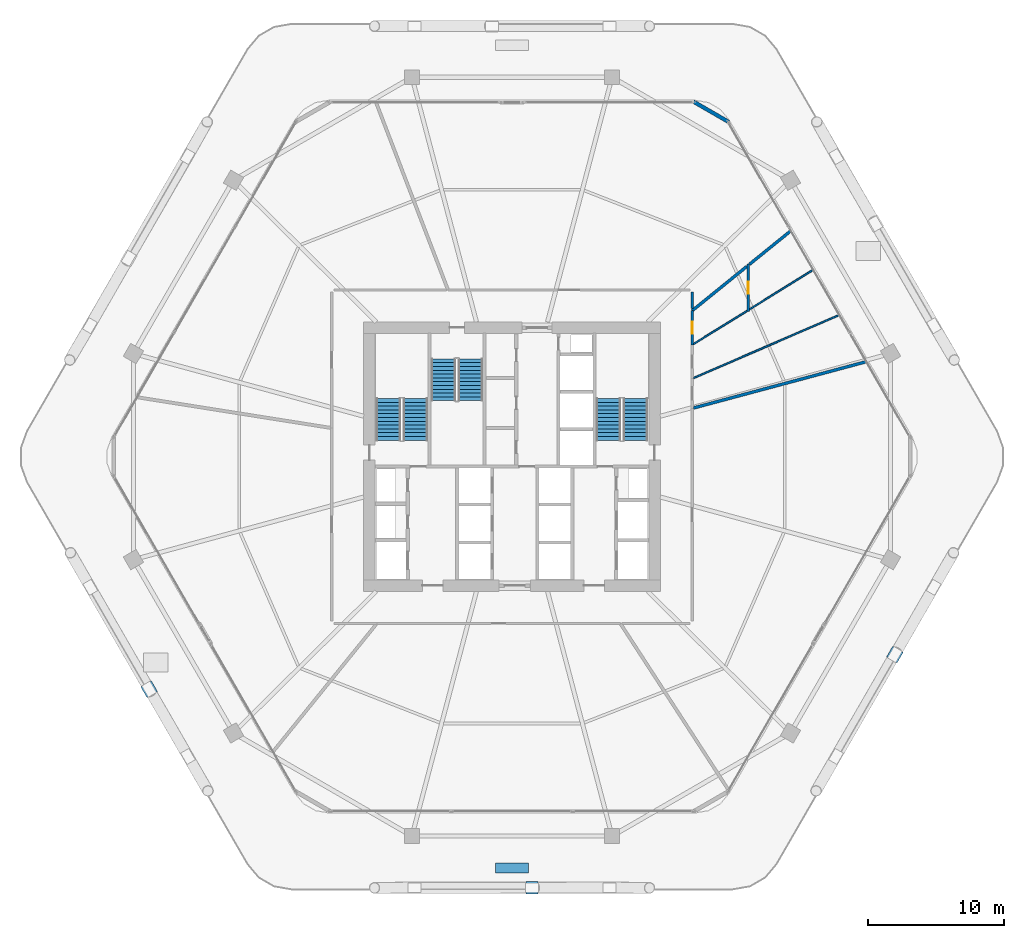
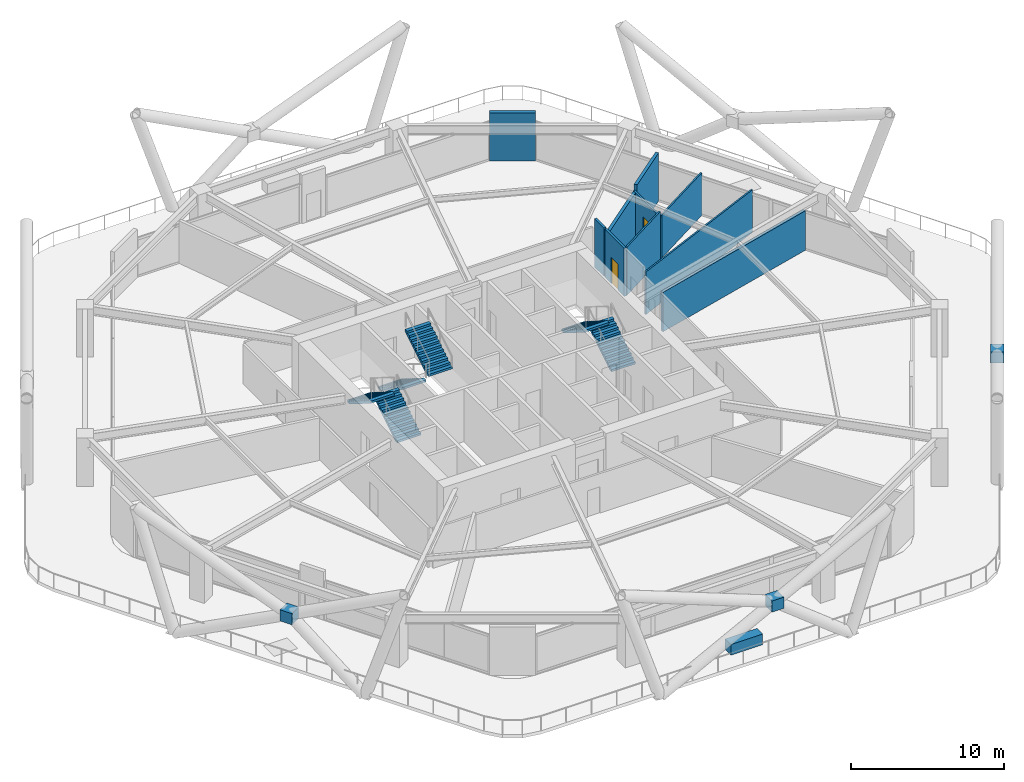
# One storey, part 25 of 28: 10 walls, 6 stair flights, 4 discrete accessories, 2 doors, 2 openings, 3 elements without a shape of their own.
"""IFC4 building model written with IfcOpenShell, lengths in metres."""

from ifc_helpers import new_model, si_unit, direction, frame, frame_2d, origin, origin_2d, place, context, subcontext, project, spatial, polyline, rectangle, outline, extrude, material, layer, layer_set, type_object, element, fill, aggregate, save


model = new_model("IFC4")

# Units and contexts
model_context = context("Model", 3, precision=1e-05, world=origin(), true_north=direction((0.0, 1.0)))
body_context = subcontext(model_context, "Body", "Model", "MODEL_VIEW")
ifc_project = project(units=[si_unit("LENGTHUNIT", "METRE"), si_unit("AREAUNIT", "SQUARE_METRE"), si_unit("VOLUMEUNIT", "CUBIC_METRE"), si_unit("PLANEANGLEUNIT", "RADIAN"), si_unit("MASSUNIT", "GRAM", prefix="KILO")], contexts=[model_context])

# Site, building, storey
site_placement = place(None, origin())
site = spatial("IfcSite", under=ifc_project, at=site_placement, CompositionType="ELEMENT")
building_placement = place(site_placement, origin())
building = spatial("IfcBuilding", under=site, at=building_placement, Name="Zuhravey Tower", CompositionType="ELEMENT")
storey_placement = place(building_placement, frame((0.0, 0.0, 83.39990234375)))
storey = spatial("IfcBuildingStorey", under=building, at=storey_placement, Name="L20", CompositionType="ELEMENT", Elevation=83.39990234375)

# Wall, opening, door
ifc_material_1 = material(Name="Gypsum fire-rated stud partition")
ifc_layer_1 = layer(ifc_material_1, 0.159912109375)
ifc_layer_set_1 = layer_set([ifc_layer_1], Name="Gypsum fire-rated stud partition")
wall_type_1 = type_object("IfcWallType", Name="Corridor Fire Partition 160", PredefinedType="PARTITIONING", material=ifc_layer_set_1)
wall_1_placement = place(storey_placement, frame((53.405029296875, 46.197265625, 0.0), z_axis=(0.0, 0.0, 1.0), x_axis=(0.0, -1.0, 0.0)))
wall_1 = element("IfcWall", 1, at=wall_1_placement, inside=storey, type_object=wall_type_1, Name="L20 IW16 Partition 021", PredefinedType="PARTITIONING", context=body_context, shape_type="SweptSolid", body=[
    extrude(rectangle(XDim=3.499755859375, YDim=0.159912109375, at=frame_2d((1.75, 0.0))), origin(), (0.0, 0.0, 1.0), 3.400146484375),
])
opening_1_placement = place(wall_1_placement, frame((1.2998046875, 0.0, 0.0)))
opening_1 = element("IfcOpeningElement", 2, at=opening_1_placement, cuts=wall_1, Name="Opening RSD1", PredefinedType="OPENING", context=body_context, shape_type="SweptSolid", body=[
    extrude(rectangle(XDim=0.89990234375, YDim=2.10009765625, at=frame_2d((0.449951171875, 1.050048828125))), frame((0.0, 0.092041015625, 0.0), z_axis=(0.0, -1.0, 0.0), x_axis=(1.0, 0.0, 0.0)), (0.0, 0.0, 1.0), 0.183837890625),
])
ifc_material_2 = material(Name="Galvanised fire-rated steel access leaf", Category="steel")
door_type = type_object("IfcDoorType", Name="Riser & Shaft Access Fire Door 900x2100", OperationType="NOTDEFINED", PredefinedType="DOOR", material=ifc_material_2)
door_1_placement = place(opening_1_placement, origin())
door_1 = element("IfcDoor", 3, at=door_1_placement, inside=storey, type_object=door_type, Name="L20 Door 021.1", OperationType="SINGLE_SWING_LEFT", OverallHeight=2.10009765625, OverallWidth=0.89990234375, PredefinedType="DOOR", context=body_context, shape_type="SweptSolid", body=[
    extrude(rectangle(XDim=0.89990234375, YDim=2.10009765625, at=frame_2d((0.449951171875, 1.050048828125))), frame((0.0, 0.02490234375, 0.0), z_axis=(0.0, -1.0, 0.0), x_axis=(1.0, 0.0, 0.0)), (0.0, 0.0, 1.0), 0.050048828125),
])
fill(opening_1, door_1)

wall_2_placement = place(storey_placement, frame((49.284912109375, 40.237060546875, 0.0), z_axis=(0.0, 0.0, 1.0), x_axis=(0.0, 1.0, 0.0)))
wall_2 = element("IfcWall", 4, at=wall_2_placement, inside=storey, type_object=wall_type_1, Name="L20 IW16 Partition 022", PredefinedType="PARTITIONING", context=body_context, shape_type="SweptSolid", body=[
    extrude(rectangle(XDim=2.52099609375, YDim=0.159912109375, at=frame_2d((1.260498046875, 0.0))), origin(), (0.0, 0.0, 1.0), 3.85009765625),
])
opening_2_placement = place(wall_2_placement, frame((0.810546875, 0.0, 0.0)))
opening_2 = element("IfcOpeningElement", 5, at=opening_2_placement, cuts=wall_2, Name="Opening RSD1", PredefinedType="OPENING", context=body_context, shape_type="SweptSolid", body=[
    extrude(rectangle(XDim=0.89990234375, YDim=2.10009765625, at=frame_2d((0.449951171875, 1.050048828125))), frame((0.0, 0.092041015625, 0.0), z_axis=(0.0, -1.0, 0.0), x_axis=(1.0, 0.0, 0.0)), (0.0, 0.0, 1.0), 0.183837890625),
])
door_2_placement = place(opening_2_placement, frame((0.89990234375, 0.0, 0.0), z_axis=(0.0, 0.0, 1.0), x_axis=(-1.0, 0.0, 0.0)))
door_2 = element("IfcDoor", 6, at=door_2_placement, inside=storey, type_object=door_type, Name="L20 Door 022.1", OperationType="SINGLE_SWING_RIGHT", OverallHeight=2.10009765625, OverallWidth=0.89990234375, PredefinedType="DOOR", context=body_context, shape_type="SweptSolid", body=[
    extrude(rectangle(XDim=0.89990234375, YDim=2.10009765625, at=frame_2d((0.449951171875, 1.050048828125))), frame((0.0, 0.02490234375, 0.0), z_axis=(0.0, -1.0, 0.0), x_axis=(1.0, 0.0, 0.0)), (0.0, 0.0, 1.0), 0.050048828125),
])
fill(opening_2, door_2)

# Walls
wall_3_placement = place(storey_placement, frame((49.284912109375, 42.909912109375, 0.0), z_axis=(0.0, 0.0, 1.0), x_axis=(0.0, 1.0, 0.0)))
element("IfcWall", 7, at=wall_3_placement, inside=storey, type_object=wall_type_1, Name="L20 IW16 Partition 043", PredefinedType="PARTITIONING", context=body_context, shape_type="SweptSolid", body=[
    extrude(rectangle(XDim=1.215087890625, YDim=0.159912109375, at=frame_2d((0.607421875, 0.0))), origin(), (0.0, 0.0, 1.0), 3.85009765625),
])
ifc_material_3 = material(Name="Precast concrete C40/50", Category="concrete")
ifc_layer_2 = layer(ifc_material_3, 0.280029296875)
ifc_layer_set_2 = layer_set([ifc_layer_2], Name="Precast concrete C40/50")
wall_type_2 = type_object("IfcWallType", Name="Crown Architectural Wall 280", PredefinedType="SOLIDWALL", material=ifc_layer_set_2)
wall_4_placement = place(storey_placement, frame((49.3603515625, 58.156005859375, 0.0), z_axis=(0.0, 0.0, 1.0), x_axis=(0.866017028182, -0.500014506688, 0.0)))
element("IfcWall", 8, at=wall_4_placement, inside=storey, type_object=wall_type_2, Name="L20 Rounded Corner Closure Wall EW28-10", PredefinedType="SOLIDWALL", context=body_context, shape_type="SweptSolid", body=[
    extrude(rectangle(XDim=3.01513671875, YDim=0.280029296875, at=frame_2d((1.507568359375, 0.0))), origin(), (0.0, 0.0, 1.0), 3.85009765625),
])
ifc_material_4 = material(Name="Gypsum acoustic stud assembly")
ifc_layer_3 = layer(ifc_material_4, 0.219970703125)
ifc_layer_set_3 = layer_set([ifc_layer_3], Name="Gypsum acoustic stud assembly")
wall_type_3 = type_object("IfcWallType", Name="School Acoustic Compartment Wall 220", PredefinedType="PARTITIONING", material=ifc_layer_set_3)
wall_5_placement = place(storey_placement, frame((49.373046875, 35.583251953125, 0.0), z_axis=(0.0, 0.0, 1.0), x_axis=(0.965927222809, 0.258813833165, 0.0)))
element("IfcWall", 9, at=wall_5_placement, inside=storey, type_object=wall_type_3, Name="L20 IW22 Partition 037", PredefinedType="PARTITIONING", context=body_context, shape_type="SweptSolid", body=[
    extrude(rectangle(XDim=13.1845703125, YDim=0.219970703125, at=frame_2d((6.59228515625, 0.0))), origin(), (0.0, 0.0, 1.0), 3.150146484375),
])
wall_6_placement = place(storey_placement, frame((49.284912109375, 42.758056640625, 0.0), z_axis=(0.0, 0.0, 1.0), x_axis=(0.777159385962, 0.629303812805, 0.0)))
element("IfcWall", 10, at=wall_6_placement, inside=storey, type_object=wall_type_3, Name="L20 IW22 Partition 041", PredefinedType="PARTITIONING", context=body_context, shape_type="SweptSolid", body=[
    extrude(rectangle(XDim=5.18798828125, YDim=0.219970703125, at=frame_2d((2.593994140625, 0.0))), origin(), (0.0, 0.0, 1.0), 3.400146484375),
])
wall_7_placement = place(storey_placement, frame((53.492919921875, 46.16552734375, 0.0), z_axis=(0.0, 0.0, 1.0), x_axis=(0.77713476339, 0.62933421926, 0.0)))
element("IfcWall", 11, at=wall_7_placement, inside=storey, type_object=wall_type_3, Name="L20 IW22 Partition 042", PredefinedType="PARTITIONING", context=body_context, shape_type="SweptSolid", body=[
    extrude(rectangle(XDim=3.9248046875, YDim=0.219970703125, at=frame_2d((1.96240234375, 0.0))), origin(), (0.0, 0.0, 1.0), 3.85009765625),
])
ifc_material_5 = material(Name="Gypsum metal-stud partition")
ifc_layer_4 = layer(ifc_material_5, 0.1201171875)
ifc_layer_set_4 = layer_set([ifc_layer_4], Name="Gypsum metal-stud partition")
wall_type_4 = type_object("IfcWallType", Name="Unit Internal Partition 120", PredefinedType="PARTITIONING", material=ifc_layer_set_4)
wall_8_placement = place(storey_placement, frame((49.373046875, 37.787109375, 0.0), z_axis=(0.0, 0.0, 1.0), x_axis=(0.917761357583, 0.397132333772, 0.0)))
element("IfcWall", 12, at=wall_8_placement, inside=storey, type_object=wall_type_4, Name="L20 IW12 Partition 038", PredefinedType="PARTITIONING", context=body_context, shape_type="SweptSolid", body=[
    extrude(rectangle(XDim=11.711181640625, YDim=0.1201171875, at=frame_2d((5.85546875, 0.0))), origin(), (0.0, 0.0, 1.0), 3.400146484375),
])
wall_9_placement = place(storey_placement, frame((49.373046875, 40.29150390625, 0.0), z_axis=(0.0, 0.0, 1.0), x_axis=(0.849866876435, 0.526997431054, 0.0)))
element("IfcWall", 13, at=wall_9_placement, inside=storey, type_object=wall_type_4, Name="L20 IW12 Partition 039", PredefinedType="PARTITIONING", context=body_context, shape_type="SweptSolid", body=[
    extrude(rectangle(XDim=4.640625, YDim=0.1201171875, at=frame_2d((2.3203125, 0.0))), origin(), (0.0, 0.0, 1.0), 3.85009765625),
])
wall_10_placement = place(storey_placement, frame((53.492919921875, 42.84619140625, 0.0), z_axis=(0.0, 0.0, 1.0), x_axis=(0.849887293627, 0.526964503673, 0.0)))
element("IfcWall", 14, at=wall_10_placement, inside=storey, type_object=wall_type_4, Name="L20 IW12 Partition 040", PredefinedType="PARTITIONING", context=body_context, shape_type="SweptSolid", body=[
    extrude(rectangle(XDim=5.538818359375, YDim=0.1201171875, at=frame_2d((2.76953125, 0.0))), origin(), (0.0, 0.0, 1.0), 3.400146484375),
])

# Stair, stair flights
ifc_material_6 = material(Name="Concrete C40/50", Category="concrete")
stair_type = type_object("IfcStairType", Name="School Storey Stair Assembly 4200", PredefinedType="HALF_TURN_STAIR", material=ifc_material_6)
stair_1_placement = place(storey_placement, origin())
stair_1 = element("IfcStair", 15, at=stair_1_placement, inside=storey, type_object=stair_type, Name="L20 Core Exit Stair ST1", PredefinedType="HALF_TURN_STAIR")
stair_flight_type = type_object("IfcStairFlightType", Name="School Storey Stair Flight 4200", PredefinedType="STRAIGHT", material=ifc_material_6)
stair_flight_1_placement = place(storey_placement, frame((28.89990234375, 33.199951171875, 0.0), z_axis=(0.0, 0.0, 1.0), x_axis=(0.0, 1.0, 0.0)))
stair_flight_1 = element("IfcStairFlight", 16, at=stair_flight_1_placement, type_object=stair_flight_type, Name="ST1 flight 1", NumberOfRisers=12, NumberOfTreads=11, PredefinedType="STRAIGHT", RiserHeight=0.175, TreadLength=0.28, context=body_context, shape_type="SweptSolid", body=[
    extrude(outline(polyline([(0.0, 0.0), (0.0, 0.175048828125), (0.280029296875, 0.175048828125), (0.280029296875, 0.35009765625), (0.56005859375, 0.35009765625), (0.56005859375, 0.52490234375), (0.840087890625, 0.52490234375), (0.840087890625, 0.699951171875), (1.1201171875, 0.699951171875), (1.1201171875, 0.875), (1.39990234375, 0.875), (1.39990234375, 1.050048828125), (1.679931640625, 1.050048828125), (1.679931640625, 1.22509765625), (1.9599609375, 1.22509765625), (1.9599609375, 1.39990234375), (2.239990234375, 1.39990234375), (2.239990234375, 1.574951171875), (2.52001953125, 1.574951171875), (2.52001953125, 1.75), (2.800048828125, 1.75), (2.800048828125, 1.925048828125), (3.080078125, 1.925048828125), (3.080078125, 2.10009765625), (3.080078125, 1.748291015625), (0.28271484375, 0.0), (0.0, 0.0)])), frame((0.0, 0.89990234375, 0.0), z_axis=(0.0, -1.0, 0.0), x_axis=(1.0, 0.0, 0.0)), (0.0, 0.0, 1.0), 1.800048828125),
])
stair_flight_2_placement = place(storey_placement, frame((26.89990234375, 36.280029296875, 2.10009765625), z_axis=(0.0, 0.0, 1.0), x_axis=(0.0, -1.0, 0.0)))
stair_flight_2 = element("IfcStairFlight", 17, at=stair_flight_2_placement, type_object=stair_flight_type, Name="ST1 flight 2", NumberOfRisers=12, NumberOfTreads=11, PredefinedType="STRAIGHT", RiserHeight=0.175, TreadLength=0.28, context=body_context, shape_type="SweptSolid", body=[
    extrude(outline(polyline([(0.0, 0.0), (0.0, 0.175048828125), (0.280029296875, 0.175048828125), (0.280029296875, 0.35009765625), (0.56005859375, 0.35009765625), (0.56005859375, 0.52490234375), (0.840087890625, 0.52490234375), (0.840087890625, 0.699951171875), (1.1201171875, 0.699951171875), (1.1201171875, 0.875), (1.39990234375, 0.875), (1.39990234375, 1.050048828125), (1.679931640625, 1.050048828125), (1.679931640625, 1.22509765625), (1.9599609375, 1.22509765625), (1.9599609375, 1.39990234375), (2.239990234375, 1.39990234375), (2.239990234375, 1.574951171875), (2.52001953125, 1.574951171875), (2.52001953125, 1.75), (2.800048828125, 1.75), (2.800048828125, 1.925048828125), (3.080078125, 1.925048828125), (3.080078125, 2.10009765625), (3.080078125, 1.748291015625), (0.28271484375, 0.0), (0.0, 0.0)])), frame((0.0, 0.89990234375, 0.0), z_axis=(0.0, -1.0, 0.0), x_axis=(1.0, 0.0, 0.0)), (0.0, 0.0, 1.0), 1.800048828125),
])
aggregate(stair_1, [stair_flight_1, stair_flight_2])

stair_2_placement = place(storey_placement, origin())
stair_2 = element("IfcStair", 18, at=stair_2_placement, inside=storey, type_object=stair_type, Name="L20 Core Exit Stair ST2", PredefinedType="HALF_TURN_STAIR")
stair_flight_3_placement = place(storey_placement, frame((45.10009765625, 33.199951171875, 0.0), z_axis=(0.0, 0.0, 1.0), x_axis=(0.0, 1.0, 0.0)))
stair_flight_3 = element("IfcStairFlight", 19, at=stair_flight_3_placement, type_object=stair_flight_type, Name="ST2 flight 1", NumberOfRisers=12, NumberOfTreads=11, PredefinedType="STRAIGHT", RiserHeight=0.175, TreadLength=0.28, context=body_context, shape_type="SweptSolid", body=[
    extrude(outline(polyline([(0.0, 0.0), (0.0, 0.175048828125), (0.280029296875, 0.175048828125), (0.280029296875, 0.35009765625), (0.56005859375, 0.35009765625), (0.56005859375, 0.52490234375), (0.840087890625, 0.52490234375), (0.840087890625, 0.699951171875), (1.1201171875, 0.699951171875), (1.1201171875, 0.875), (1.39990234375, 0.875), (1.39990234375, 1.050048828125), (1.679931640625, 1.050048828125), (1.679931640625, 1.22509765625), (1.9599609375, 1.22509765625), (1.9599609375, 1.39990234375), (2.239990234375, 1.39990234375), (2.239990234375, 1.574951171875), (2.52001953125, 1.574951171875), (2.52001953125, 1.75), (2.800048828125, 1.75), (2.800048828125, 1.925048828125), (3.080078125, 1.925048828125), (3.080078125, 2.10009765625), (3.080078125, 1.748291015625), (0.28271484375, 0.0), (0.0, 0.0)])), frame((0.0, 0.89990234375, 0.0), z_axis=(0.0, -1.0, 0.0), x_axis=(1.0, 0.0, 0.0)), (0.0, 0.0, 1.0), 1.800048828125),
])
stair_flight_4_placement = place(storey_placement, frame((43.10009765625, 36.280029296875, 2.10009765625), z_axis=(0.0, 0.0, 1.0), x_axis=(0.0, -1.0, 0.0)))
stair_flight_4 = element("IfcStairFlight", 20, at=stair_flight_4_placement, type_object=stair_flight_type, Name="ST2 flight 2", NumberOfRisers=12, NumberOfTreads=11, PredefinedType="STRAIGHT", RiserHeight=0.175, TreadLength=0.28, context=body_context, shape_type="SweptSolid", body=[
    extrude(outline(polyline([(0.0, 0.0), (0.0, 0.175048828125), (0.280029296875, 0.175048828125), (0.280029296875, 0.35009765625), (0.56005859375, 0.35009765625), (0.56005859375, 0.52490234375), (0.840087890625, 0.52490234375), (0.840087890625, 0.699951171875), (1.1201171875, 0.699951171875), (1.1201171875, 0.875), (1.39990234375, 0.875), (1.39990234375, 1.050048828125), (1.679931640625, 1.050048828125), (1.679931640625, 1.22509765625), (1.9599609375, 1.22509765625), (1.9599609375, 1.39990234375), (2.239990234375, 1.39990234375), (2.239990234375, 1.574951171875), (2.52001953125, 1.574951171875), (2.52001953125, 1.75), (2.800048828125, 1.75), (2.800048828125, 1.925048828125), (3.080078125, 1.925048828125), (3.080078125, 2.10009765625), (3.080078125, 1.748291015625), (0.28271484375, 0.0), (0.0, 0.0)])), frame((0.0, 0.89990234375, 0.0), z_axis=(0.0, -1.0, 0.0), x_axis=(1.0, 0.0, 0.0)), (0.0, 0.0, 1.0), 1.800048828125),
])
aggregate(stair_2, [stair_flight_3, stair_flight_4])

stair_3_placement = place(storey_placement, origin())
stair_3 = element("IfcStair", 21, at=stair_3_placement, inside=storey, type_object=stair_type, Name="L20 Core Exit Stair ST3", PredefinedType="HALF_TURN_STAIR")
stair_flight_5_placement = place(storey_placement, frame((30.949951171875, 39.199951171875, 0.0), z_axis=(0.0, 0.0, 1.0), x_axis=(0.0, -1.0, 0.0)))
stair_flight_5 = element("IfcStairFlight", 22, at=stair_flight_5_placement, type_object=stair_flight_type, Name="ST3 flight 1", NumberOfRisers=12, NumberOfTreads=11, PredefinedType="STRAIGHT", RiserHeight=0.175, TreadLength=0.28, context=body_context, shape_type="SweptSolid", body=[
    extrude(outline(polyline([(0.0, 0.0), (0.0, 0.175048828125), (0.280029296875, 0.175048828125), (0.280029296875, 0.35009765625), (0.56005859375, 0.35009765625), (0.56005859375, 0.52490234375), (0.840087890625, 0.52490234375), (0.840087890625, 0.699951171875), (1.1201171875, 0.699951171875), (1.1201171875, 0.875), (1.39990234375, 0.875), (1.39990234375, 1.050048828125), (1.679931640625, 1.050048828125), (1.679931640625, 1.22509765625), (1.9599609375, 1.22509765625), (1.9599609375, 1.39990234375), (2.239990234375, 1.39990234375), (2.239990234375, 1.574951171875), (2.52001953125, 1.574951171875), (2.52001953125, 1.75), (2.800048828125, 1.75), (2.800048828125, 1.925048828125), (3.080078125, 1.925048828125), (3.080078125, 2.10009765625), (3.080078125, 1.748291015625), (0.28271484375, 0.0), (0.0, 0.0)])), frame((0.0, 0.89990234375, 0.0), z_axis=(0.0, -1.0, 0.0), x_axis=(1.0, 0.0, 0.0)), (0.0, 0.0, 1.0), 1.800048828125),
])
stair_flight_6_placement = place(storey_placement, frame((32.949951171875, 36.1201171875, 2.10009765625), z_axis=(0.0, 0.0, 1.0), x_axis=(0.0, 1.0, 0.0)))
stair_flight_6 = element("IfcStairFlight", 23, at=stair_flight_6_placement, type_object=stair_flight_type, Name="ST3 flight 2", NumberOfRisers=12, NumberOfTreads=11, PredefinedType="STRAIGHT", RiserHeight=0.175, TreadLength=0.28, context=body_context, shape_type="SweptSolid", body=[
    extrude(outline(polyline([(0.0, 0.0), (0.0, 0.175048828125), (0.280029296875, 0.175048828125), (0.280029296875, 0.35009765625), (0.56005859375, 0.35009765625), (0.56005859375, 0.52490234375), (0.840087890625, 0.52490234375), (0.840087890625, 0.699951171875), (1.1201171875, 0.699951171875), (1.1201171875, 0.875), (1.39990234375, 0.875), (1.39990234375, 1.050048828125), (1.679931640625, 1.050048828125), (1.679931640625, 1.22509765625), (1.9599609375, 1.22509765625), (1.9599609375, 1.39990234375), (2.239990234375, 1.39990234375), (2.239990234375, 1.574951171875), (2.52001953125, 1.574951171875), (2.52001953125, 1.75), (2.800048828125, 1.75), (2.800048828125, 1.925048828125), (3.080078125, 1.925048828125), (3.080078125, 2.10009765625), (3.080078125, 1.748291015625), (0.28271484375, 0.0), (0.0, 0.0)])), frame((0.0, 0.89990234375, 0.0), z_axis=(0.0, -1.0, 0.0), x_axis=(1.0, 0.0, 0.0)), (0.0, 0.0, 1.0), 1.800048828125),
])
aggregate(stair_3, [stair_flight_5, stair_flight_6])

# Discrete accessories
ifc_material_7 = material(Name="Steel SM355", Category="steel")
discrete_accessory_type_1 = type_object("IfcDiscreteAccessoryType", Name="Exoskeleton Support Bracket", PredefinedType="BRACKET", material=ifc_material_7)
for number, where, z_axis, x_axis, name in (
    (24, (9.266845703125, 14.866455078125, 3.574462890625), (0.0, 0.0, 1.0), (0.5, -0.866025403784, 0.0), "L20 Face 4 Diagrid X-Crossing Collar BRK1"),
    (25, (37.471435546875, 0.236572265625, 3.574462890625), (0.0, 0.0, 1.0), (1.0, 0.0, 0.0), "L20 Face 5 Diagrid X-Crossing Collar BRK1"),
    (26, (64.204833984375, 17.4150390625, 3.574462890625), (0.0, 0.0, 1.0), (0.5, 0.866025403784, 0.0), "L20 Face 6 Diagrid X-Crossing Collar BRK1"),
):
    element("IfcDiscreteAccessory", number, at=place(storey_placement, frame(where, z_axis=z_axis, x_axis=x_axis)), inside=storey, type_object=discrete_accessory_type_1, Name=name, PredefinedType="BRACKET", context=body_context, shape_type="SweptSolid", body=[
        extrude(rectangle(XDim=0.89306640625, YDim=0.89306640625, at=origin_2d()), origin(), (0.0, 0.0, 1.0), 0.89306640625),
    ])
ifc_material_8 = material(Name="Architectural GRC planter with planting soil")
discrete_accessory_type_2 = type_object("IfcDiscreteAccessoryType", Name="Sky-Garden Structural Planter", PredefinedType="USERDEFINED", material=ifc_material_8)
discrete_accessory_placement = place(storey_placement, frame((36.0, 1.689208984375, 0.0), z_axis=(0.0, 0.0, 1.0), x_axis=(1.0, 0.0, 0.0)))
element("IfcDiscreteAccessory", 27, at=discrete_accessory_placement, inside=storey, type_object=discrete_accessory_type_2, Name="L20 Sky-Garden Planter PLN1-2", ObjectType="PLANTER", PredefinedType="USERDEFINED", context=body_context, shape_type="SweptSolid", body=[
    extrude(rectangle(XDim=2.39990234375, YDim=0.75, at=origin_2d()), origin(), (0.0, 0.0, 1.0), 0.85009765625),
])

save(model, "model.ifc")
